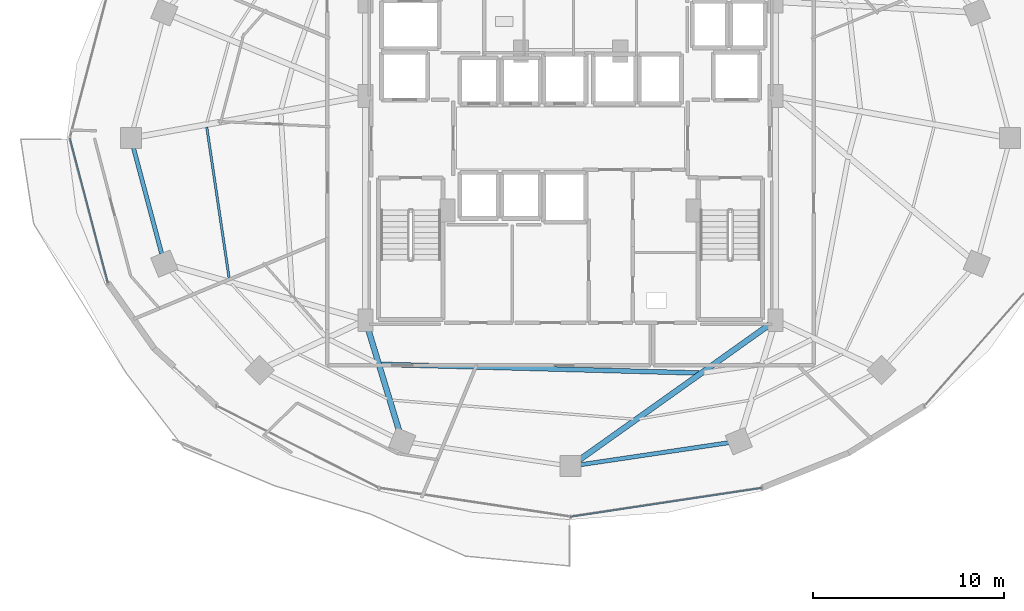
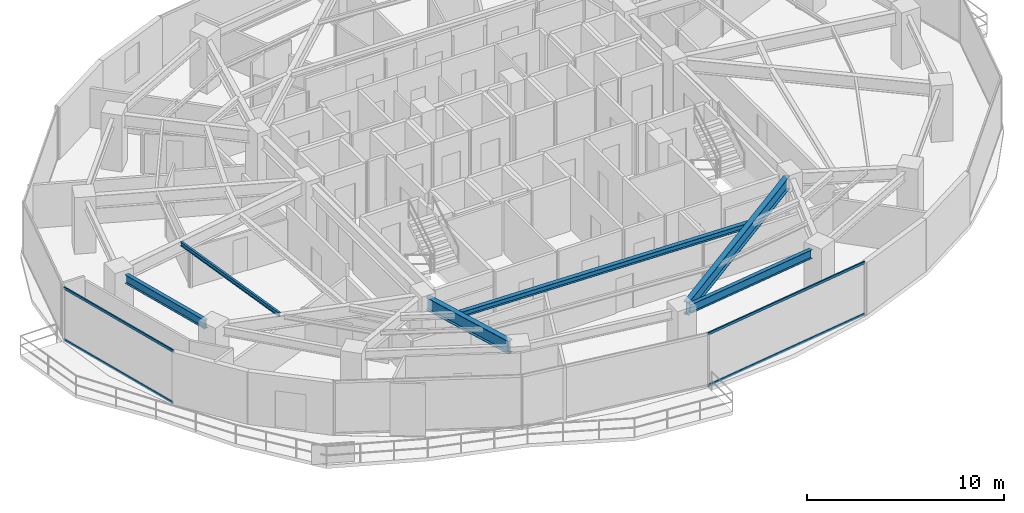
# One storey, part 6 of 31: 6 beams, 4 members, 2 elements without a shape of their own.
"""IFC4 building model written with IfcOpenShell, lengths in metres."""

from ifc_helpers import new_model, si_unit, direction, frame, origin, origin_2d, place, context, subcontext, project, spatial, hollow_rectangle, i_section, extrude, material, material_profile, profile_set, type_object, element, aggregate, save


model = new_model("IFC4")

# Units and contexts
model_context = context("Model", 3, precision=1e-05, world=origin(), true_north=direction((0.0, 1.0)))
body_context = subcontext(model_context, "Body", "Model", "MODEL_VIEW")
ifc_project = project(units=[si_unit("LENGTHUNIT", "METRE"), si_unit("AREAUNIT", "SQUARE_METRE"), si_unit("VOLUMEUNIT", "CUBIC_METRE"), si_unit("PLANEANGLEUNIT", "RADIAN"), si_unit("MASSUNIT", "GRAM", prefix="KILO")], contexts=[model_context])

# Site, building, storey
site_placement = place(None, origin())
site = spatial("IfcSite", under=ifc_project, at=site_placement, CompositionType="ELEMENT")
building_placement = place(site_placement, origin())
building = spatial("IfcBuilding", under=site, at=building_placement, Name="Vorneva Point Tower", CompositionType="ELEMENT")
storey_placement = place(building_placement, frame((0.0, 0.0, 103.300048828125)))
storey = spatial("IfcBuildingStorey", under=building, at=storey_placement, Name="L27", CompositionType="ELEMENT", Elevation=103.300048828125)

# Beams
ifc_material_1 = material(Name="Steel S355", Category="steel")
ifc_material_profile_1 = material_profile(ifc_material_1, i_section(OverallWidth=0.300048828125, OverallDepth=0.7880859375, WebThickness=0.014404296875, FlangeThickness=0.02197265625, at=origin_2d()), Name="80Sh1")
ifc_profile_set_1 = profile_set([ifc_material_profile_1], Name="Steel S355")
beam_type_1 = type_object("IfcBeamType", Name="BM-GRD-80Sh1", PredefinedType="USERDEFINED", material=ifc_profile_set_1)
beam_1_placement = place(storey_placement, frame((29.0224609375, 10.6240234375, 2.845947265625), z_axis=(-0.291034888253, 0.956712440506, 0.0), x_axis=(-0.956712440506, -0.291034888253, 0.0)))
element("IfcBeam", 1, at=beam_1_placement, inside=storey, type_object=beam_type_1, Name="L27 Radial Primary Girder 12", ObjectType="GIRDER", PredefinedType="USERDEFINED", context=body_context, shape_type="SweptSolid", body=[
    extrude(i_section(OverallWidth=0.300048828125, OverallDepth=0.7880859375, WebThickness=0.014404296875, FlangeThickness=0.02197265625, at=origin_2d()), origin(), (0.0, 0.0, 1.0), 5.74951171875),
])
beam_2_placement = place(storey_placement, frame((38.438232421875, 9.11181640625, 2.845947265625), z_axis=(0.814750142675, 0.5798122153, 0.0), x_axis=(-0.5798122153, 0.814750142675, 0.0)))
element("IfcBeam", 2, at=beam_2_placement, inside=storey, type_object=beam_type_1, Name="L27 Radial Primary Girder 13", ObjectType="GIRDER", PredefinedType="USERDEFINED", context=body_context, shape_type="SweptSolid", body=[
    extrude(i_section(OverallWidth=0.300048828125, OverallDepth=0.7880859375, WebThickness=0.014404296875, FlangeThickness=0.02197265625, at=origin_2d()), origin(), (0.0, 0.0, 1.0), 12.316162109375),
])
ifc_material_profile_2 = material_profile(ifc_material_1, i_section(OverallWidth=0.1240234375, OverallDepth=0.248046875, WebThickness=0.0048828125, FlangeThickness=0.008056640625, at=origin_2d()), Name="25B1")
ifc_profile_set_2 = profile_set([ifc_material_profile_2], Name="Steel S355")
beam_type_2 = type_object("IfcBeamType", Name="BM-JST-25B1", PredefinedType="JOIST", material=ifc_profile_set_2)
beam_3_placement = place(storey_placement, frame((18.930419921875, 26.57177734375, 3.115966796875), z_axis=(0.146468614571, -0.989215317788, 0.0), x_axis=(0.989215317788, 0.146468614571, 0.0)))
element("IfcBeam", 3, at=beam_3_placement, inside=storey, type_object=beam_type_2, Name="L27 Secondary Floor Beam 1.09", PredefinedType="JOIST", context=body_context, shape_type="SweptSolid", body=[
    extrude(i_section(OverallWidth=0.1240234375, OverallDepth=0.248046875, WebThickness=0.0048828125, FlangeThickness=0.008056640625, at=origin_2d()), origin(), (0.0, 0.0, 1.0), 8.069091796875),
])
ifc_material_profile_3 = material_profile(ifc_material_1, i_section(OverallWidth=0.2490234375, OverallDepth=0.333984375, WebThickness=0.008056640625, FlangeThickness=0.010986328125, at=origin_2d()), Name="35Sh1")
ifc_profile_set_3 = profile_set([ifc_material_profile_3], Name="Steel S355")
beam_type_3 = type_object("IfcBeamType", Name="BM-SEC-35Sh1", PredefinedType="BEAM", material=ifc_profile_set_3)
beam_4_placement = place(storey_placement, frame((28.08935546875, 14.140625, 3.072998046875), z_axis=(0.999626340984, -0.02733456441, 0.0), x_axis=(0.02733456441, 0.999626340984, 0.0)))
element("IfcBeam", 4, at=beam_4_placement, inside=storey, type_object=beam_type_3, Name="L27 Secondary Floor Beam 2.12", PredefinedType="BEAM", context=body_context, shape_type="SweptSolid", body=[
    extrude(i_section(OverallWidth=0.2490234375, OverallDepth=0.333984375, WebThickness=0.008056640625, FlangeThickness=0.010986328125, at=origin_2d()), origin(), (0.0, 0.0, 1.0), 16.639404296875),
])
ifc_material_profile_4 = material_profile(ifc_material_1, i_section(OverallWidth=0.219970703125, OverallDepth=0.54296875, WebThickness=0.009521484375, FlangeThickness=0.013427734375, at=origin_2d()), Name="55B1")
ifc_profile_set_4 = profile_set([ifc_material_profile_4], Name="Steel S355")
beam_type_4 = type_object("IfcBeamType", Name="BM-SPN-55B1", PredefinedType="SPANDREL", material=ifc_profile_set_4)
beam_5_placement = place(storey_placement, frame((15.087890625, 25.483154296875, 2.968505859375), z_axis=(0.257572674071, -0.966258928845, 0.0), x_axis=(0.966258928845, 0.257572674071, 0.0)))
element("IfcBeam", 5, at=beam_5_placement, inside=storey, type_object=beam_type_4, Name="L27 Perimeter Spandrel Ring Beam 09", PredefinedType="SPANDREL", context=body_context, shape_type="SweptSolid", body=[
    extrude(i_section(OverallWidth=0.219970703125, OverallDepth=0.54296875, WebThickness=0.009521484375, FlangeThickness=0.013427734375, at=origin_2d()), origin(), (0.0, 0.0, 1.0), 5.7421875),
])
beam_6_placement = place(storey_placement, frame((38.529296875, 8.878662109375, 2.968505859375), z_axis=(0.989164507783, 0.146811363806, 0.0), x_axis=(-0.146811363806, 0.989164507783, 0.0)))
element("IfcBeam", 6, at=beam_6_placement, inside=storey, type_object=beam_type_4, Name="L27 Perimeter Spandrel Ring Beam 13", PredefinedType="SPANDREL", context=body_context, shape_type="SweptSolid", body=[
    extrude(i_section(OverallWidth=0.219970703125, OverallDepth=0.54296875, WebThickness=0.009521484375, FlangeThickness=0.013427734375, at=origin_2d()), origin(), (0.0, 0.0, 1.0), 7.847412109375),
])

# Curtain wall, members
ifc_material_2 = material(Name="Pale anodised aluminium", Category="aluminium")
curtain_wall_type = type_object("IfcCurtainWallType", Name="CW-HTL-SYS", PredefinedType="NOTDEFINED", material=ifc_material_2)
curtain_wall_1_placement = place(storey_placement, origin())
curtain_wall_1 = element("IfcCurtainWall", 7, at=curtain_wall_1_placement, inside=storey, type_object=curtain_wall_type, Name="L27 Unitised Curtain Wall CW-L27-R03", PredefinedType="NOTDEFINED")
ifc_material_profile_5 = material_profile(ifc_material_2, hollow_rectangle(XDim=0.074951171875, YDim=0.14990234375, WallThickness=0.00390625, at=origin_2d()), Name="AL-TRN 150x75x4")
ifc_profile_set_5 = profile_set([ifc_material_profile_5], Name="Pale anodised aluminium")
member_type = type_object("IfcMemberType", Name="CW-TRN-150", PredefinedType="USERDEFINED", material=ifc_profile_set_5)
member_1_placement = place(storey_placement, frame((11.75, 26.0, 0.02001953125), z_axis=(0.254409150465, -0.967096677773, 0.0), x_axis=(0.967096677773, 0.254409150465, 0.0)))
member_1 = element("IfcMember", 8, at=member_1_placement, type_object=member_type, Name="CW-L27-R03 Transom 03.1", ObjectType="TRANSOM", PredefinedType="USERDEFINED", context=body_context, shape_type="SweptSolid", body=[
    extrude(hollow_rectangle(XDim=0.074951171875, YDim=0.14990234375, WallThickness=0.00390625, at=origin_2d()), origin(), (0.0, 0.0, 1.0), 7.854736328125),
])
member_2_placement = place(storey_placement, frame((11.75, 26.0, 3.219970703125), z_axis=(0.254409150465, -0.967096677773, 0.0), x_axis=(0.967096677773, 0.254409150465, 0.0)))
member_2 = element("IfcMember", 9, at=member_2_placement, type_object=member_type, Name="CW-L27-R03 Transom 03.2", ObjectType="TRANSOM", PredefinedType="USERDEFINED", context=body_context, shape_type="SweptSolid", body=[
    extrude(hollow_rectangle(XDim=0.074951171875, YDim=0.14990234375, WallThickness=0.00390625, at=origin_2d()), origin(), (0.0, 0.0, 1.0), 7.854736328125),
])
aggregate(curtain_wall_1, [member_1, member_2])

curtain_wall_2_placement = place(storey_placement, origin())
curtain_wall_2 = element("IfcCurtainWall", 10, at=curtain_wall_2_placement, inside=storey, type_object=curtain_wall_type, Name="L27 Unitised Curtain Wall CW-L27-R04", PredefinedType="NOTDEFINED")
member_3_placement = place(storey_placement, frame((38.0, 6.14990234375, 0.02001953125), z_axis=(0.988875982167, 0.148742367512, 0.0), x_axis=(-0.148742367512, 0.988875982167, 0.0)))
member_3 = element("IfcMember", 11, at=member_3_placement, type_object=member_type, Name="CW-L27-R04 Transom 03.1", ObjectType="TRANSOM", PredefinedType="USERDEFINED", context=body_context, shape_type="SweptSolid", body=[
    extrude(hollow_rectangle(XDim=0.074951171875, YDim=0.14990234375, WallThickness=0.00390625, at=origin_2d()), origin(), (0.0, 0.0, 1.0), 10.158447265625),
])
member_4_placement = place(storey_placement, frame((38.0, 6.14990234375, 3.219970703125), z_axis=(0.988875982167, 0.148742367512, 0.0), x_axis=(-0.148742367512, 0.988875982167, 0.0)))
member_4 = element("IfcMember", 12, at=member_4_placement, type_object=member_type, Name="CW-L27-R04 Transom 03.2", ObjectType="TRANSOM", PredefinedType="USERDEFINED", context=body_context, shape_type="SweptSolid", body=[
    extrude(hollow_rectangle(XDim=0.074951171875, YDim=0.14990234375, WallThickness=0.00390625, at=origin_2d()), origin(), (0.0, 0.0, 1.0), 10.158447265625),
])
aggregate(curtain_wall_2, [member_3, member_4])

save(model, "model.ifc")
